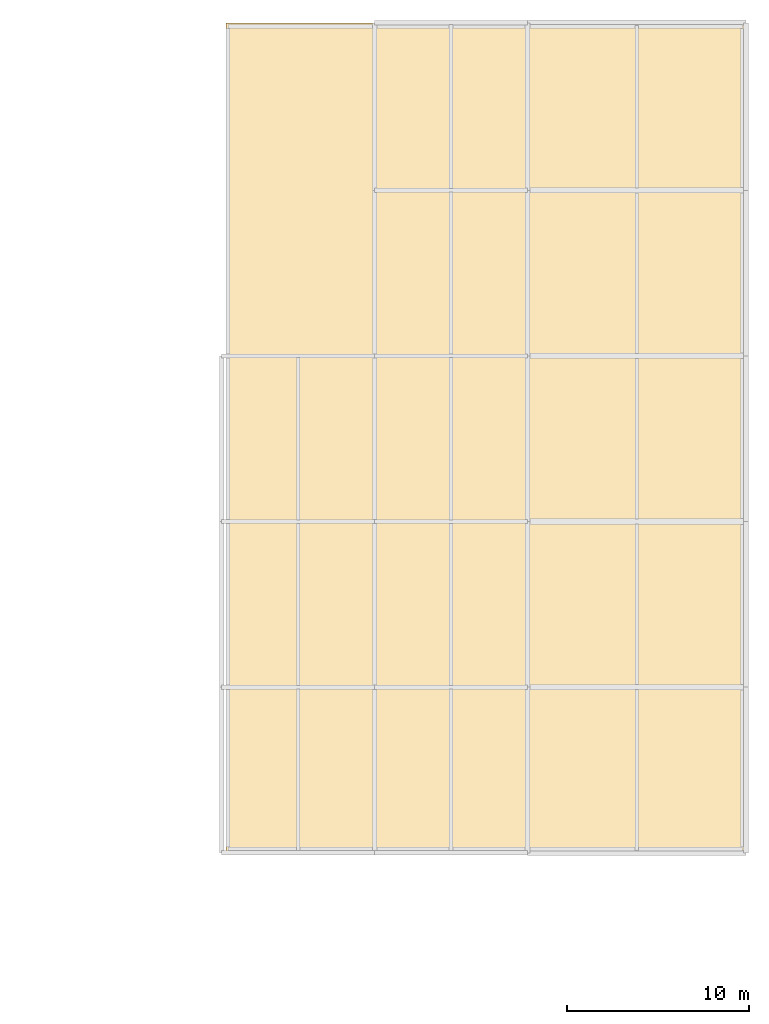
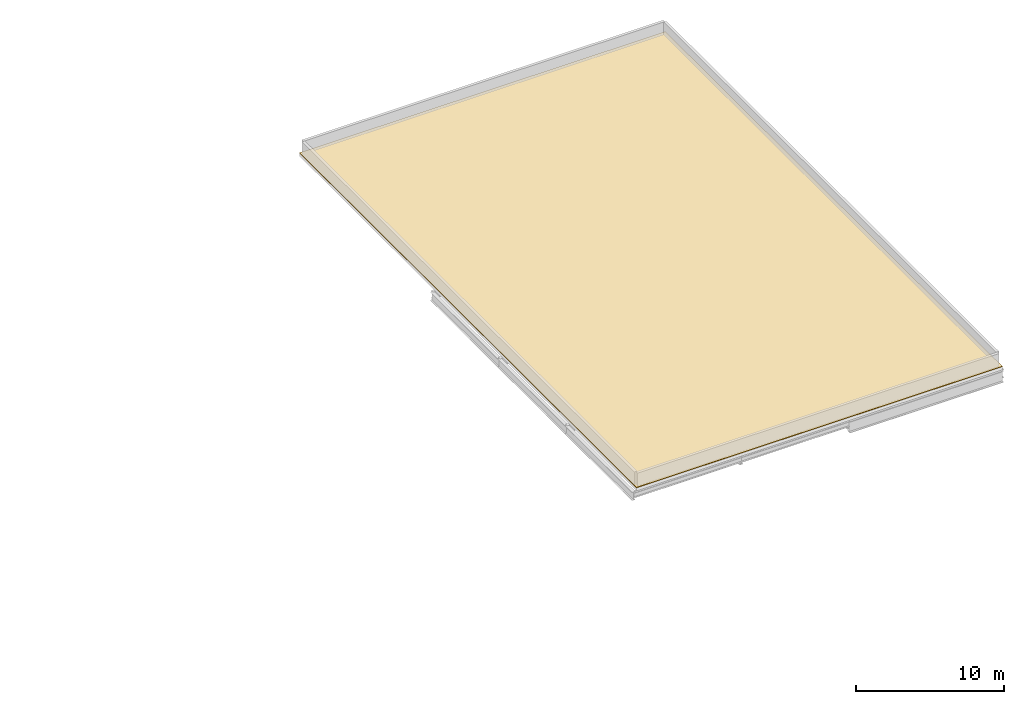
# One storey, part 38 of 38: 1 covering, 1 element without a shape of its own.
"""IFC4 building model written with IfcOpenShell, lengths in metres."""

from ifc_helpers import new_model, si_unit, derived_unit, direction, frame, origin, place, context, subcontext, project, spatial, polyline, outline, extrude, material, layer, layer_set, type_object, element, aggregate, save


model = new_model("IFC4")

# Units and contexts
model_context = context("Model", 3, precision=1e-05, world=origin(), true_north=direction((0.0, 1.0)))
body_context = subcontext(model_context, "Body", "Model", "MODEL_VIEW")
ifc_project = project(units=[si_unit("LENGTHUNIT", "METRE"), si_unit("AREAUNIT", "SQUARE_METRE"), si_unit("VOLUMEUNIT", "CUBIC_METRE"), si_unit("PLANEANGLEUNIT", "RADIAN"), si_unit("MASSUNIT", "GRAM", prefix="KILO"), derived_unit("THERMALTRANSMITTANCEUNIT", [(si_unit("MASSUNIT", "GRAM", prefix="KILO"), 1), (si_unit("TIMEUNIT", "SECOND"), -3), (si_unit("THERMODYNAMICTEMPERATUREUNIT", "KELVIN"), -1)])], contexts=[model_context])

# Site, building, storey
site_placement = place(None, origin())
site = spatial("IfcSite", under=ifc_project, at=site_placement, CompositionType="ELEMENT")
building_placement = place(site_placement, origin())
building = spatial("IfcBuilding", under=site, at=building_placement, Name="Makaiwela Harbour Ferry Terminal", CompositionType="ELEMENT")
storey_placement = place(building_placement, frame((0.0, 0.0, 17.699951171875)))
storey = spatial("IfcBuildingStorey", under=building, at=storey_placement, Name="L04", CompositionType="ELEMENT", Elevation=17.699951171875)

# Roof, covering
ifc_material = material(Name="Standing-seam marine zinc roofing", Category="aluminium")
ifc_layer_1 = layer(ifc_material, 0.219970703125)
ifc_layer_set_1 = layer_set([ifc_layer_1], Name="Standing-seam marine zinc roofing")
roof_type = type_object("IfcRoofType", Name="RF-FLAT-01", PredefinedType="FLAT_ROOF", material=ifc_layer_set_1)
roof_placement = place(storey_placement, origin())
roof = element("IfcRoof", 1, at=roof_placement, inside=storey, type_object=roof_type, Name="Roof Assembly RF-01", PredefinedType="FLAT_ROOF")
ifc_layer_2 = layer(ifc_material, 0.044921875)
ifc_layer_set_2 = layer_set([ifc_layer_2], Name="Standing-seam marine zinc roofing")
covering_type = type_object("IfcCoveringType", Name="COV-ROOF-ZINC", PredefinedType="ROOFING", material=ifc_layer_set_2)
covering_placement = place(storey_placement, origin())
covering = element("IfcCovering", 2, at=covering_placement, type_object=covering_type, Name="Architectural Covering RFG-01", PredefinedType="ROOFING", context=body_context, shape_type="SweptSolid", body=[
    extrude(outline(polyline([(138.820068359375, 49.39990234375), (167.39990234375, 49.39990234375), (167.39990234375, 95.0), (138.820068359375, 95.0), (138.820068359375, 49.39990234375)])), origin(), (0.0, 0.0, 1.0), 0.045166015625),
])
aggregate(roof, [covering])

save(model, "model.ifc")
